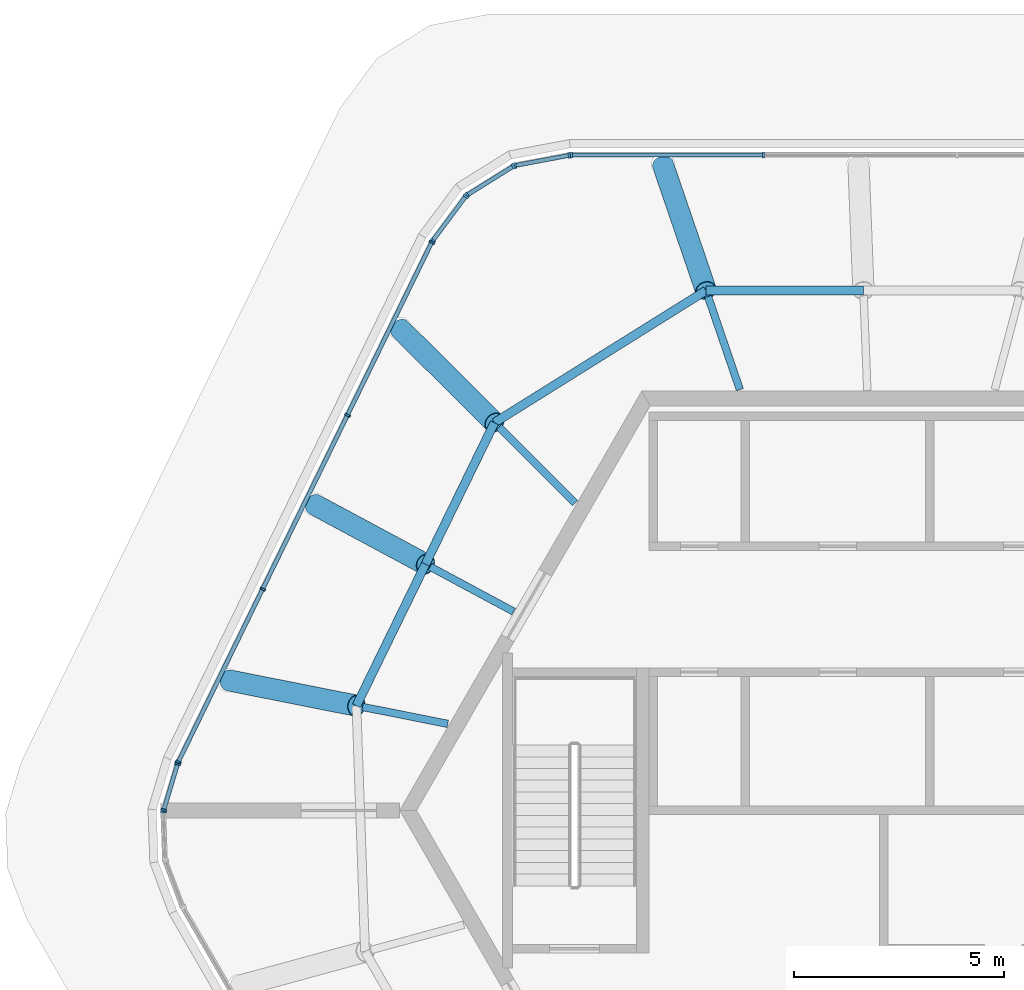
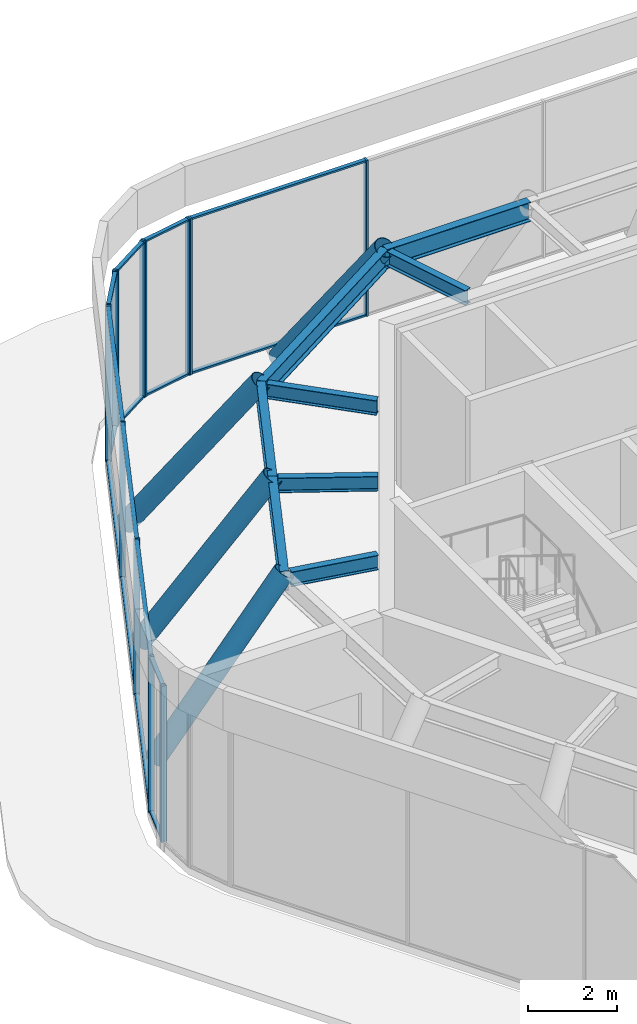
# One storey, part 3 of 9: 35 members, 8 beams, 7 elements without a shape of their own.
"""IFC4 building model written with IfcOpenShell, lengths in metres."""

from ifc_helpers import new_model, si_unit, direction, frame, origin, origin_2d, place, context, subcontext, project, spatial, rectangle, hollow_circle, i_section, extrude, material, material_profile, profile_set, type_object, element, aggregate, save


model = new_model("IFC4")

# Units and contexts
model_context = context("Model", 3, precision=1e-05, world=origin(), true_north=direction((0.0, 1.0)))
body_context = subcontext(model_context, "Body", "Model", "MODEL_VIEW")
ifc_project = project(units=[si_unit("LENGTHUNIT", "METRE"), si_unit("AREAUNIT", "SQUARE_METRE"), si_unit("VOLUMEUNIT", "CUBIC_METRE"), si_unit("PLANEANGLEUNIT", "RADIAN"), si_unit("MASSUNIT", "GRAM", prefix="KILO")], contexts=[model_context])

# Site, building, storey
site_placement = place(None, origin())
site = spatial("IfcSite", under=ifc_project, at=site_placement, CompositionType="ELEMENT")
building_placement = place(site_placement, origin())
building = spatial("IfcBuilding", under=site, at=building_placement, Name="Tarnside Tower", CompositionType="ELEMENT")
storey_placement = place(building_placement, frame((0.0, 0.0, 397.199951171875)))
storey = spatial("IfcBuildingStorey", under=building, at=storey_placement, Name="L94", CompositionType="ELEMENT", Elevation=397.199951171875)

# Curtain wall, members
ifc_material_1 = material(Name="Crown glazing wall", Category="glass")
curtain_wall_type = type_object("IfcCurtainWallType", Name="Crown glazing wall", PredefinedType="NOTDEFINED", material=ifc_material_1)
curtain_wall_1_placement = place(storey_placement, origin())
curtain_wall_1 = element("IfcCurtainWall", 1, at=curtain_wall_1_placement, inside=storey, type_object=curtain_wall_type, Name="Crown glazing L94 00", PredefinedType="NOTDEFINED")
ifc_material_2 = material(Name="Aluminium alloy 6063", Category="aluminium")
ifc_material_profile_1 = material_profile(ifc_material_2, rectangle(XDim=0.139892578125, YDim=0.050048828125, at=origin_2d()), Name="Crown glazing mullion 50 x 140")
ifc_profile_set_1 = profile_set([ifc_material_profile_1], Name="Aluminium alloy 6063")
member_type_1 = type_object("IfcMemberType", Name="Crown glazing mullion 50 x 140", PredefinedType="MULLION", material=ifc_profile_set_1)
member_1_placement = place(storey_placement, frame((-7.452880859375, 15.6298828125, 0.0), z_axis=(0.0, 0.0, 1.0), x_axis=(0.0, 1.0, 0.0)))
member_1 = element("IfcMember", 2, at=member_1_placement, type_object=member_type_1, Name="CW6 mullion 1", PredefinedType="MULLION", context=body_context, shape_type="SweptSolid", body=[
    extrude(rectangle(XDim=0.139892578125, YDim=0.050048828125, at=origin_2d()), origin(), (0.0, 0.0, 1.0), 4.300048828125),
])
member_2_placement = place(storey_placement, frame((-2.864501953125, 15.6298828125, 0.0), z_axis=(0.0, 0.0, 1.0), x_axis=(0.0, 1.0, 0.0)))
member_2 = element("IfcMember", 3, at=member_2_placement, type_object=member_type_1, Name="CW6 mullion 2", PredefinedType="MULLION", context=body_context, shape_type="SweptSolid", body=[
    extrude(rectangle(XDim=0.139892578125, YDim=0.050048828125, at=origin_2d()), origin(), (0.0, 0.0, 1.0), 4.300048828125),
])

# Curtain wall, member
curtain_wall_2_placement = place(storey_placement, origin())
curtain_wall_2 = element("IfcCurtainWall", 4, at=curtain_wall_2_placement, inside=storey, type_object=curtain_wall_type, Name="Crown glazing L94 18", PredefinedType="NOTDEFINED")
member_3_placement = place(storey_placement, frame((-17.178955078125, -0.036376953125, 0.0), z_axis=(0.0, 0.0, 1.0), x_axis=(-0.999390827036, -0.034899496232, 0.0)))
member_3 = element("IfcMember", 5, at=member_3_placement, type_object=member_type_1, Name="CW6 mullion 2", PredefinedType="MULLION", context=body_context, shape_type="SweptSolid", body=[
    extrude(rectangle(XDim=0.139892578125, YDim=0.050048828125, at=origin_2d()), origin(), (0.0, 0.0, 1.0), 4.300048828125),
])
aggregate(curtain_wall_2, [member_3])

# Curtain wall, members
curtain_wall_3_placement = place(storey_placement, origin())
curtain_wall_3 = element("IfcCurtainWall", 6, at=curtain_wall_3_placement, inside=storey, type_object=curtain_wall_type, Name="Crown glazing L94 19", PredefinedType="NOTDEFINED")
member_4_placement = place(storey_placement, frame((-17.1728515625, 0.0126953125, 0.0), z_axis=(0.0, 0.0, 1.0), x_axis=(-0.957989512264, 0.286803232884, 0.0)))
member_4 = element("IfcMember", 7, at=member_4_placement, type_object=member_type_1, Name="CW6 mullion 1", PredefinedType="MULLION", context=body_context, shape_type="SweptSolid", body=[
    extrude(rectangle(XDim=0.139892578125, YDim=0.050048828125, at=origin_2d()), origin(), (0.0, 0.0, 1.0), 4.300048828125),
])
member_5_placement = place(storey_placement, frame((-16.844482421875, 1.109130859375, 0.0), z_axis=(0.0, 0.0, 1.0), x_axis=(-0.957989512264, 0.286803232884, 0.0)))
member_5 = element("IfcMember", 8, at=member_5_placement, type_object=member_type_1, Name="CW6 mullion 2", PredefinedType="MULLION", context=body_context, shape_type="SweptSolid", body=[
    extrude(rectangle(XDim=0.139892578125, YDim=0.050048828125, at=origin_2d()), origin(), (0.0, 0.0, 1.0), 4.300048828125),
])

curtain_wall_4_placement = place(storey_placement, origin())
curtain_wall_4 = element("IfcCurtainWall", 9, at=curtain_wall_4_placement, inside=storey, type_object=curtain_wall_type, Name="Crown glazing L94 20", PredefinedType="NOTDEFINED")
member_6_placement = place(storey_placement, frame((-16.826416015625, 1.155517578125, 0.0), z_axis=(0.0, 0.0, 1.0), x_axis=(-0.898794046322, 0.438371146742, 0.0)))
member_6 = element("IfcMember", 10, at=member_6_placement, type_object=member_type_1, Name="CW6 mullion 1", PredefinedType="MULLION", context=body_context, shape_type="SweptSolid", body=[
    extrude(rectangle(XDim=0.139892578125, YDim=0.050048828125, at=origin_2d()), origin(), (0.0, 0.0, 1.0), 4.300048828125),
])
member_7_placement = place(storey_placement, frame((-14.81494140625, 5.27978515625, 0.0), z_axis=(0.0, 0.0, 1.0), x_axis=(-0.898794046322, 0.438371146742, 0.0)))
member_7 = element("IfcMember", 11, at=member_7_placement, type_object=member_type_1, Name="CW6 mullion 2", PredefinedType="MULLION", context=body_context, shape_type="SweptSolid", body=[
    extrude(rectangle(XDim=0.139892578125, YDim=0.050048828125, at=origin_2d()), origin(), (0.0, 0.0, 1.0), 4.300048828125),
])
member_8_placement = place(storey_placement, frame((-12.79248046875, 9.42626953125, 0.0), z_axis=(0.0, 0.0, 1.0), x_axis=(-0.898794046322, 0.438371146742, 0.0)))
member_8 = element("IfcMember", 12, at=member_8_placement, type_object=member_type_1, Name="CW6 mullion 3", PredefinedType="MULLION", context=body_context, shape_type="SweptSolid", body=[
    extrude(rectangle(XDim=0.139892578125, YDim=0.050048828125, at=origin_2d()), origin(), (0.0, 0.0, 1.0), 4.300048828125),
])
member_9_placement = place(storey_placement, frame((-10.781005859375, 13.55029296875, 0.0), z_axis=(0.0, 0.0, 1.0), x_axis=(-0.898794046322, 0.438371146742, 0.0)))
member_9 = element("IfcMember", 13, at=member_9_placement, type_object=member_type_1, Name="CW6 mullion 4", PredefinedType="MULLION", context=body_context, shape_type="SweptSolid", body=[
    extrude(rectangle(XDim=0.139892578125, YDim=0.050048828125, at=origin_2d()), origin(), (0.0, 0.0, 1.0), 4.300048828125),
])

curtain_wall_5_placement = place(storey_placement, origin())
curtain_wall_5 = element("IfcCurtainWall", 14, at=curtain_wall_5_placement, inside=storey, type_object=curtain_wall_type, Name="Crown glazing L94 21", PredefinedType="NOTDEFINED")
member_10_placement = place(storey_placement, frame((-10.755126953125, 13.5927734375, 0.0), z_axis=(0.0, 0.0, 1.0), x_axis=(-0.802123192856, 0.597158591567, 0.0)))
member_10 = element("IfcMember", 15, at=member_10_placement, type_object=member_type_1, Name="CW6 mullion 1", PredefinedType="MULLION", context=body_context, shape_type="SweptSolid", body=[
    extrude(rectangle(XDim=0.139892578125, YDim=0.050048828125, at=origin_2d()), origin(), (0.0, 0.0, 1.0), 4.300048828125),
])
member_11_placement = place(storey_placement, frame((-9.970947265625, 14.646240234375, 0.0), z_axis=(0.0, 0.0, 1.0), x_axis=(-0.802123192856, 0.597158591567, 0.0)))
member_11 = element("IfcMember", 16, at=member_11_placement, type_object=member_type_1, Name="CW6 mullion 2", PredefinedType="MULLION", context=body_context, shape_type="SweptSolid", body=[
    extrude(rectangle(XDim=0.139892578125, YDim=0.050048828125, at=origin_2d()), origin(), (0.0, 0.0, 1.0), 4.300048828125),
])

curtain_wall_6_placement = place(storey_placement, origin())
curtain_wall_6 = element("IfcCurtainWall", 17, at=curtain_wall_6_placement, inside=storey, type_object=curtain_wall_type, Name="Crown glazing L94 22", PredefinedType="NOTDEFINED")
member_12_placement = place(storey_placement, frame((-9.934814453125, 14.6796875, 0.0), z_axis=(0.0, 0.0, 1.0), x_axis=(-0.529919264159, 0.848048096203, 0.0)))
member_12 = element("IfcMember", 18, at=member_12_placement, type_object=member_type_1, Name="CW6 mullion 1", PredefinedType="MULLION", context=body_context, shape_type="SweptSolid", body=[
    extrude(rectangle(XDim=0.139892578125, YDim=0.050048828125, at=origin_2d()), origin(), (0.0, 0.0, 1.0), 4.300048828125),
])
member_13_placement = place(storey_placement, frame((-8.8388671875, 15.364501953125, 0.0), z_axis=(0.0, 0.0, 1.0), x_axis=(-0.529919264159, 0.848048096203, 0.0)))
member_13 = element("IfcMember", 19, at=member_13_placement, type_object=member_type_1, Name="CW6 mullion 2", PredefinedType="MULLION", context=body_context, shape_type="SweptSolid", body=[
    extrude(rectangle(XDim=0.139892578125, YDim=0.050048828125, at=origin_2d()), origin(), (0.0, 0.0, 1.0), 4.300048828125),
])

curtain_wall_7_placement = place(storey_placement, origin())
curtain_wall_7 = element("IfcCurtainWall", 20, at=curtain_wall_7_placement, inside=storey, type_object=curtain_wall_type, Name="Crown glazing L94 23", PredefinedType="NOTDEFINED")
member_14_placement = place(storey_placement, frame((-8.79296875, 15.38232421875, 0.0), z_axis=(0.0, 0.0, 1.0), x_axis=(-0.185094922879, 0.982720646738, 0.0)))
member_14 = element("IfcMember", 21, at=member_14_placement, type_object=member_type_1, Name="CW6 mullion 1", PredefinedType="MULLION", context=body_context, shape_type="SweptSolid", body=[
    extrude(rectangle(XDim=0.139892578125, YDim=0.050048828125, at=origin_2d()), origin(), (0.0, 0.0, 1.0), 4.300048828125),
])
member_15_placement = place(storey_placement, frame((-7.50244140625, 15.62548828125, 0.0), z_axis=(0.0, 0.0, 1.0), x_axis=(-0.185094922879, 0.982720646738, 0.0)))
member_15 = element("IfcMember", 22, at=member_15_placement, type_object=member_type_1, Name="CW6 mullion 2", PredefinedType="MULLION", context=body_context, shape_type="SweptSolid", body=[
    extrude(rectangle(XDim=0.139892578125, YDim=0.050048828125, at=origin_2d()), origin(), (0.0, 0.0, 1.0), 4.300048828125),
])

# Member
ifc_material_profile_2 = material_profile(ifc_material_2, rectangle(XDim=0.10009765625, YDim=0.050048828125, at=origin_2d()), Name="Crown glazing transom 50 x 100")
ifc_profile_set_2 = profile_set([ifc_material_profile_2], Name="Aluminium alloy 6063")
member_type_2 = type_object("IfcMemberType", Name="Crown glazing transom 50 x 100", PredefinedType="USERDEFINED", material=ifc_profile_set_2)
member_16_placement = place(storey_placement, frame((-7.427978515625, 15.6298828125, 0.025146484375), z_axis=(1.0, 0.0, 0.0), x_axis=(0.0, 1.0, 0.0)))
member_16 = element("IfcMember", 23, at=member_16_placement, type_object=member_type_2, Name="CW6 transom 1.1", ObjectType="TRANSOM", PredefinedType="USERDEFINED", context=body_context, shape_type="SweptSolid", body=[
    extrude(rectangle(XDim=0.10009765625, YDim=0.050048828125, at=origin_2d()), origin(), (0.0, 0.0, 1.0), 4.53857421875),
])

member_17_placement = place(storey_placement, frame((-7.427978515625, 15.6298828125, 4.275146484375), z_axis=(1.0, 0.0, 0.0), x_axis=(0.0, 1.0, 0.0)))
member_17 = element("IfcMember", 24, at=member_17_placement, type_object=member_type_2, Name="CW6 transom 1.2", ObjectType="TRANSOM", PredefinedType="USERDEFINED", context=body_context, shape_type="SweptSolid", body=[
    extrude(rectangle(XDim=0.10009765625, YDim=0.050048828125, at=origin_2d()), origin(), (0.0, 0.0, 1.0), 4.53857421875),
])

aggregate(curtain_wall_1, [member_1, member_2, member_16, member_17])

member_18_placement = place(storey_placement, frame((-17.16552734375, 0.03662109375, 0.025146484375), z_axis=(0.286836272763, 0.957979620153, 0.0), x_axis=(-0.957979620153, 0.286836272763, 0.0)))
member_18 = element("IfcMember", 25, at=member_18_placement, type_object=member_type_2, Name="CW6 transom 1.1", ObjectType="TRANSOM", PredefinedType="USERDEFINED", context=body_context, shape_type="SweptSolid", body=[
    extrude(rectangle(XDim=0.10009765625, YDim=0.050048828125, at=origin_2d()), origin(), (0.0, 0.0, 1.0), 1.094482421875),
])

member_19_placement = place(storey_placement, frame((-17.16552734375, 0.03662109375, 4.275146484375), z_axis=(0.286836272763, 0.957979620153, 0.0), x_axis=(-0.957979620153, 0.286836272763, 0.0)))
member_19 = element("IfcMember", 26, at=member_19_placement, type_object=member_type_2, Name="CW6 transom 1.2", ObjectType="TRANSOM", PredefinedType="USERDEFINED", context=body_context, shape_type="SweptSolid", body=[
    extrude(rectangle(XDim=0.10009765625, YDim=0.050048828125, at=origin_2d()), origin(), (0.0, 0.0, 1.0), 1.094482421875),
])

aggregate(curtain_wall_3, [member_4, member_5, member_18, member_19])

member_20_placement = place(storey_placement, frame((-16.8154296875, 1.177978515625, 0.025146484375), z_axis=(0.438348384173, 0.898805148012, 0.0), x_axis=(-0.898805148012, 0.438348384173, 0.0)))
member_20 = element("IfcMember", 27, at=member_20_placement, type_object=member_type_2, Name="CW6 transom 1.1", ObjectType="TRANSOM", PredefinedType="USERDEFINED", context=body_context, shape_type="SweptSolid", body=[
    extrude(rectangle(XDim=0.10009765625, YDim=0.050048828125, at=origin_2d()), origin(), (0.0, 0.0, 1.0), 4.53857421875),
])

member_21_placement = place(storey_placement, frame((-16.8154296875, 1.177978515625, 4.275146484375), z_axis=(0.438348384173, 0.898805148012, 0.0), x_axis=(-0.898805148012, 0.438348384173, 0.0)))
member_21 = element("IfcMember", 28, at=member_21_placement, type_object=member_type_2, Name="CW6 transom 1.2", ObjectType="TRANSOM", PredefinedType="USERDEFINED", context=body_context, shape_type="SweptSolid", body=[
    extrude(rectangle(XDim=0.10009765625, YDim=0.050048828125, at=origin_2d()), origin(), (0.0, 0.0, 1.0), 4.53857421875),
])

member_22_placement = place(storey_placement, frame((-14.803955078125, 5.30224609375, 0.025146484375), z_axis=(0.438375145025, 0.898792096218, 0.0), x_axis=(-0.898792096218, 0.438375145025, 0.0)))
member_22 = element("IfcMember", 29, at=member_22_placement, type_object=member_type_2, Name="CW6 transom 2.1", ObjectType="TRANSOM", PredefinedType="USERDEFINED", context=body_context, shape_type="SweptSolid", body=[
    extrude(rectangle(XDim=0.10009765625, YDim=0.050048828125, at=origin_2d()), origin(), (0.0, 0.0, 1.0), 4.5634765625),
])

member_23_placement = place(storey_placement, frame((-14.803955078125, 5.30224609375, 4.275146484375), z_axis=(0.438375145025, 0.898792096218, 0.0), x_axis=(-0.898792096218, 0.438375145025, 0.0)))
member_23 = element("IfcMember", 30, at=member_23_placement, type_object=member_type_2, Name="CW6 transom 2.2", ObjectType="TRANSOM", PredefinedType="USERDEFINED", context=body_context, shape_type="SweptSolid", body=[
    extrude(rectangle(XDim=0.10009765625, YDim=0.050048828125, at=origin_2d()), origin(), (0.0, 0.0, 1.0), 4.5634765625),
])

member_24_placement = place(storey_placement, frame((-12.781494140625, 9.44873046875, 0.025146484375), z_axis=(0.438369578448, 0.898794811229, 0.0), x_axis=(-0.898794811229, 0.438369578448, 0.0)))
member_24 = element("IfcMember", 31, at=member_24_placement, type_object=member_type_2, Name="CW6 transom 3.1", ObjectType="TRANSOM", PredefinedType="USERDEFINED", context=body_context, shape_type="SweptSolid", body=[
    extrude(rectangle(XDim=0.10009765625, YDim=0.050048828125, at=origin_2d()), origin(), (0.0, 0.0, 1.0), 4.538330078125),
])

member_25_placement = place(storey_placement, frame((-12.781494140625, 9.44873046875, 4.275146484375), z_axis=(0.438369578448, 0.898794811229, 0.0), x_axis=(-0.898794811229, 0.438369578448, 0.0)))
member_25 = element("IfcMember", 32, at=member_25_placement, type_object=member_type_2, Name="CW6 transom 3.2", ObjectType="TRANSOM", PredefinedType="USERDEFINED", context=body_context, shape_type="SweptSolid", body=[
    extrude(rectangle(XDim=0.10009765625, YDim=0.050048828125, at=origin_2d()), origin(), (0.0, 0.0, 1.0), 4.538330078125),
])

aggregate(curtain_wall_4, [member_6, member_7, member_8, member_9, member_20, member_21, member_22, member_23, member_24, member_25])

member_26_placement = place(storey_placement, frame((-10.740234375, 13.613037109375, 0.025146484375), z_axis=(0.597213239481, 0.802082506098, 0.0), x_axis=(-0.802082506098, 0.597213239481, 0.0)))
member_26 = element("IfcMember", 33, at=member_26_placement, type_object=member_type_2, Name="CW6 transom 1.1", ObjectType="TRANSOM", PredefinedType="USERDEFINED", context=body_context, shape_type="SweptSolid", body=[
    extrude(rectangle(XDim=0.10009765625, YDim=0.050048828125, at=origin_2d()), origin(), (0.0, 0.0, 1.0), 1.26318359375),
])

member_27_placement = place(storey_placement, frame((-10.740234375, 13.613037109375, 4.275146484375), z_axis=(0.597213239481, 0.802082506098, 0.0), x_axis=(-0.802082506098, 0.597213239481, 0.0)))
member_27 = element("IfcMember", 34, at=member_27_placement, type_object=member_type_2, Name="CW6 transom 1.2", ObjectType="TRANSOM", PredefinedType="USERDEFINED", context=body_context, shape_type="SweptSolid", body=[
    extrude(rectangle(XDim=0.10009765625, YDim=0.050048828125, at=origin_2d()), origin(), (0.0, 0.0, 1.0), 1.26318359375),
])

aggregate(curtain_wall_5, [member_10, member_11, member_26, member_27])

member_28_placement = place(storey_placement, frame((-9.91357421875, 14.69287109375, 0.025146484375), z_axis=(0.848075586499, 0.529875267949, 0.0), x_axis=(-0.529875267949, 0.848075586499, 0.0)))
member_28 = element("IfcMember", 35, at=member_28_placement, type_object=member_type_2, Name="CW6 transom 1.1", ObjectType="TRANSOM", PredefinedType="USERDEFINED", context=body_context, shape_type="SweptSolid", body=[
    extrude(rectangle(XDim=0.10009765625, YDim=0.050048828125, at=origin_2d()), origin(), (0.0, 0.0, 1.0), 1.2421875),
])

member_29_placement = place(storey_placement, frame((-9.91357421875, 14.69287109375, 4.275146484375), z_axis=(0.848075586499, 0.529875267949, 0.0), x_axis=(-0.529875267949, 0.848075586499, 0.0)))
member_29 = element("IfcMember", 36, at=member_29_placement, type_object=member_type_2, Name="CW6 transom 1.2", ObjectType="TRANSOM", PredefinedType="USERDEFINED", context=body_context, shape_type="SweptSolid", body=[
    extrude(rectangle(XDim=0.10009765625, YDim=0.050048828125, at=origin_2d()), origin(), (0.0, 0.0, 1.0), 1.2421875),
])

aggregate(curtain_wall_6, [member_12, member_13, member_28, member_29])

member_30_placement = place(storey_placement, frame((-8.7685546875, 15.386962890625, 0.025146484375), z_axis=(0.982712107295, 0.185140255416, 0.0), x_axis=(-0.185140255416, 0.982712107295, 0.0)))
member_30 = element("IfcMember", 37, at=member_30_placement, type_object=member_type_2, Name="CW6 transom 1.1", ObjectType="TRANSOM", PredefinedType="USERDEFINED", context=body_context, shape_type="SweptSolid", body=[
    extrude(rectangle(XDim=0.10009765625, YDim=0.050048828125, at=origin_2d()), origin(), (0.0, 0.0, 1.0), 1.26318359375),
])

member_31_placement = place(storey_placement, frame((-8.7685546875, 15.386962890625, 4.275146484375), z_axis=(0.982712107295, 0.185140255416, 0.0), x_axis=(-0.185140255416, 0.982712107295, 0.0)))
member_31 = element("IfcMember", 38, at=member_31_placement, type_object=member_type_2, Name="CW6 transom 1.2", ObjectType="TRANSOM", PredefinedType="USERDEFINED", context=body_context, shape_type="SweptSolid", body=[
    extrude(rectangle(XDim=0.10009765625, YDim=0.050048828125, at=origin_2d()), origin(), (0.0, 0.0, 1.0), 1.26318359375),
])

aggregate(curtain_wall_7, [member_14, member_15, member_30, member_31])

# Beams
ifc_material_3 = material(Name="Steel S355", Category="steel")
ifc_material_profile_3 = material_profile(ifc_material_3, i_section(OverallWidth=0.177978515625, OverallDepth=0.406494140625, WebThickness=0.0078125, FlangeThickness=0.0126953125, FilletRadius=0.01025390625, at=origin_2d()), Name="UB 406x178x60")
ifc_profile_set_3 = profile_set([ifc_material_profile_3], Name="Steel S355")
beam_type_1 = type_object("IfcBeamType", Name="Floor beam UB 406x178x60", PredefinedType="BEAM", material=ifc_profile_set_3)
beam_1_placement = place(storey_placement, frame((-4.1923828125, 12.257568359375, 4.096923828125), z_axis=(0.323648452032, -0.946177403819, 0.0), x_axis=(0.946177403819, 0.323648452032, 0.0)))
element("IfcBeam", 39, at=beam_1_placement, inside=storey, type_object=beam_type_1, Name="Floor beam RB3", PredefinedType="BEAM", context=body_context, shape_type="SweptSolid", body=[
    extrude(i_section(OverallWidth=0.177978515625, OverallDepth=0.406494140625, WebThickness=0.0078125, FlangeThickness=0.0126953125, FilletRadius=0.01025390625, at=origin_2d()), origin(), (0.0, 0.0, 1.0), 2.345947265625),
])
beam_2_placement = place(storey_placement, frame((-9.17919921875, 9.141357421875, 4.096923828125), z_axis=(0.708579074488, -0.705631415966, 0.0), x_axis=(0.705631415966, 0.708579074488, 0.0)))
element("IfcBeam", 40, at=beam_2_placement, inside=storey, type_object=beam_type_1, Name="Floor beam RB4", PredefinedType="BEAM", context=body_context, shape_type="SweptSolid", body=[
    extrude(i_section(OverallWidth=0.177978515625, OverallDepth=0.406494140625, WebThickness=0.0078125, FlangeThickness=0.0126953125, FilletRadius=0.01025390625, at=origin_2d()), origin(), (0.0, 0.0, 1.0), 2.567626953125),
])
beam_3_placement = place(storey_placement, frame((-10.822265625, 5.8134765625, 4.096923828125), z_axis=(0.88095273873, -0.473204260468, 0.0), x_axis=(0.473204260468, 0.88095273873, 0.0)))
element("IfcBeam", 41, at=beam_3_placement, inside=storey, type_object=beam_type_1, Name="Floor beam RB5", PredefinedType="BEAM", context=body_context, shape_type="SweptSolid", body=[
    extrude(i_section(OverallWidth=0.177978515625, OverallDepth=0.406494140625, WebThickness=0.0078125, FlangeThickness=0.0126953125, FilletRadius=0.01025390625, at=origin_2d()), origin(), (0.0, 0.0, 1.0), 2.26025390625),
])
beam_4_placement = place(storey_placement, frame((-12.432861328125, 2.468505859375, 4.096923828125), z_axis=(0.980860393012, -0.194712324777, 0.0), x_axis=(0.194712324777, 0.980860393012, 0.0)))
element("IfcBeam", 42, at=beam_4_placement, inside=storey, type_object=beam_type_1, Name="Floor beam RB6", PredefinedType="BEAM", context=body_context, shape_type="SweptSolid", body=[
    extrude(i_section(OverallWidth=0.177978515625, OverallDepth=0.406494140625, WebThickness=0.0078125, FlangeThickness=0.0126953125, FilletRadius=0.01025390625, at=origin_2d()), origin(), (0.0, 0.0, 1.0), 2.073974609375),
])
ifc_material_profile_4 = material_profile(ifc_material_3, i_section(OverallWidth=0.209228515625, OverallDepth=0.533203125, WebThickness=0.010009765625, FlangeThickness=0.015625, FilletRadius=0.0126953125, at=origin_2d()), Name="UB 533x210x92")
ifc_profile_set_4 = profile_set([ifc_material_profile_4], Name="Steel S355")
beam_type_2 = type_object("IfcBeamType", Name="Floor beam UB 533x210x92", PredefinedType="BEAM", material=ifc_profile_set_4)
beam_5_placement = place(storey_placement, frame((-0.48583984375, 12.39990234375, 4.033447265625), z_axis=(-1.0, 0.0, 0.0), x_axis=(0.0, -1.0, 0.0)))
element("IfcBeam", 43, at=beam_5_placement, inside=storey, type_object=beam_type_2, Name="Floor beam R2", PredefinedType="BEAM", context=body_context, shape_type="SweptSolid", body=[
    extrude(i_section(OverallWidth=0.209228515625, OverallDepth=0.533203125, WebThickness=0.010009765625, FlangeThickness=0.015625, FilletRadius=0.0126953125, at=origin_2d()), origin(), (0.0, 0.0, 1.0), 3.75537109375),
])
beam_6_placement = place(storey_placement, frame((-4.2412109375, 12.39990234375, 4.033447265625), z_axis=(-0.848042109533, -0.529928844712, 0.0), x_axis=(0.529928844712, -0.848042109533, 0.0)))
element("IfcBeam", 44, at=beam_6_placement, inside=storey, type_object=beam_type_2, Name="Floor beam R3", PredefinedType="BEAM", context=body_context, shape_type="SweptSolid", body=[
    extrude(i_section(OverallWidth=0.209228515625, OverallDepth=0.533203125, WebThickness=0.010009765625, FlangeThickness=0.015625, FilletRadius=0.0126953125, at=origin_2d()), origin(), (0.0, 0.0, 1.0), 5.94873046875),
])
for number, where, z_axis, x_axis, name in (
    (45, (-9.285888671875, 9.24755859375, 4.033447265625), (-0.438401855802, -0.898779067863, 0.0), (0.898779067863, -0.438401855802, 0.0), "Floor beam R4"),
    (46, (-10.93212890625, 5.87255859375, 4.033447265625), (-0.438323718474, -0.898817177085, 0.0), (0.898817177085, -0.438323718474, 0.0), "Floor beam R5"),
):
    element("IfcBeam", number, at=place(storey_placement, frame(where, z_axis=z_axis, x_axis=x_axis)), inside=storey, type_object=beam_type_2, Name=name, PredefinedType="BEAM", context=body_context, shape_type="SweptSolid", body=[
        extrude(i_section(OverallWidth=0.209228515625, OverallDepth=0.533203125, WebThickness=0.010009765625, FlangeThickness=0.015625, FilletRadius=0.0126953125, at=origin_2d()), origin(), (0.0, 0.0, 1.0), 3.755126953125),
    ])

# Members
ifc_material_profile_5 = material_profile(ifc_material_3, hollow_circle(Radius=0.25390625, WallThickness=0.01611328125, at=origin_2d()), Name="CHS 508x16")
ifc_profile_set_5 = profile_set([ifc_material_profile_5], Name="Steel S355")
member_type_3 = type_object("IfcMemberType", Name="Truss diagonal CHS 508x16", PredefinedType="BRACE", material=ifc_profile_set_5)
for number, where, z_axis, x_axis, name in (
    (47, (-5.26708984375, 15.39990234375, -0.199951171875), (0.186362011545, -0.544982484024, 0.817473726036), (0.946206177886, 0.323564319619, 0.0), "Crown leg L94 3"),
    (48, (-11.532470703125, 11.485107421875, -0.199951171875), (0.408114365738, -0.406429042342, 0.817470548717), (0.705642238134, 0.708568297175, 0.0), "Crown leg L94 4"),
):
    element("IfcMember", number, at=place(storey_placement, frame(where, z_axis=z_axis, x_axis=x_axis)), inside=storey, type_object=member_type_3, Name=name, PredefinedType="BRACE", context=body_context, shape_type="SweptSolid", body=[
        extrude(hollow_circle(Radius=0.25390625, WallThickness=0.01611328125, at=origin_2d()), origin(), (0.0, 0.0, 1.0), 5.5048828125),
    ])
member_32_placement = place(storey_placement, frame((-13.576904296875, 7.293212890625, -0.199951171875), z_axis=(0.488909710243, -0.262620290216, 0.831864098514), x_axis=(0.473207286039, 0.880951113535, 0.0)))
element("IfcMember", 49, at=member_32_placement, inside=storey, type_object=member_type_3, Name="Crown leg L94 5", PredefinedType="BRACE", context=body_context, shape_type="SweptSolid", body=[
    extrude(hollow_circle(Radius=0.25390625, WallThickness=0.01611328125, at=origin_2d()), origin(), (0.0, 0.0, 1.0), 5.409423828125),
])
member_33_placement = place(storey_placement, frame((-15.621337890625, 3.1015625, -0.199951171875), z_axis=(0.556761526428, -0.110548317522, 0.823283470126), x_axis=(0.194754029692, 0.980852113174, 0.0)))
element("IfcMember", 50, at=member_33_placement, inside=storey, type_object=member_type_3, Name="Crown leg L94 6", PredefinedType="BRACE", context=body_context, shape_type="SweptSolid", body=[
    extrude(hollow_circle(Radius=0.25390625, WallThickness=0.01611328125, at=origin_2d()), origin(), (0.0, 0.0, 1.0), 5.4658203125),
])

save(model, "model.ifc")
